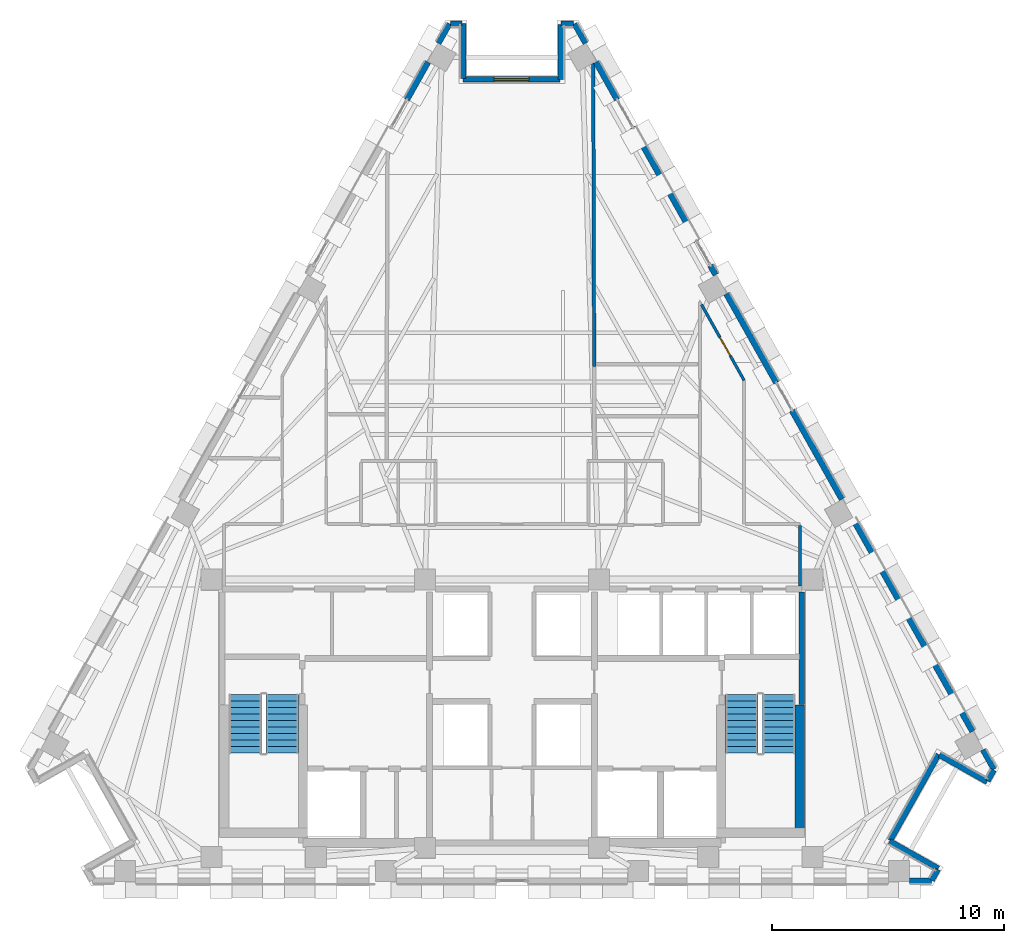
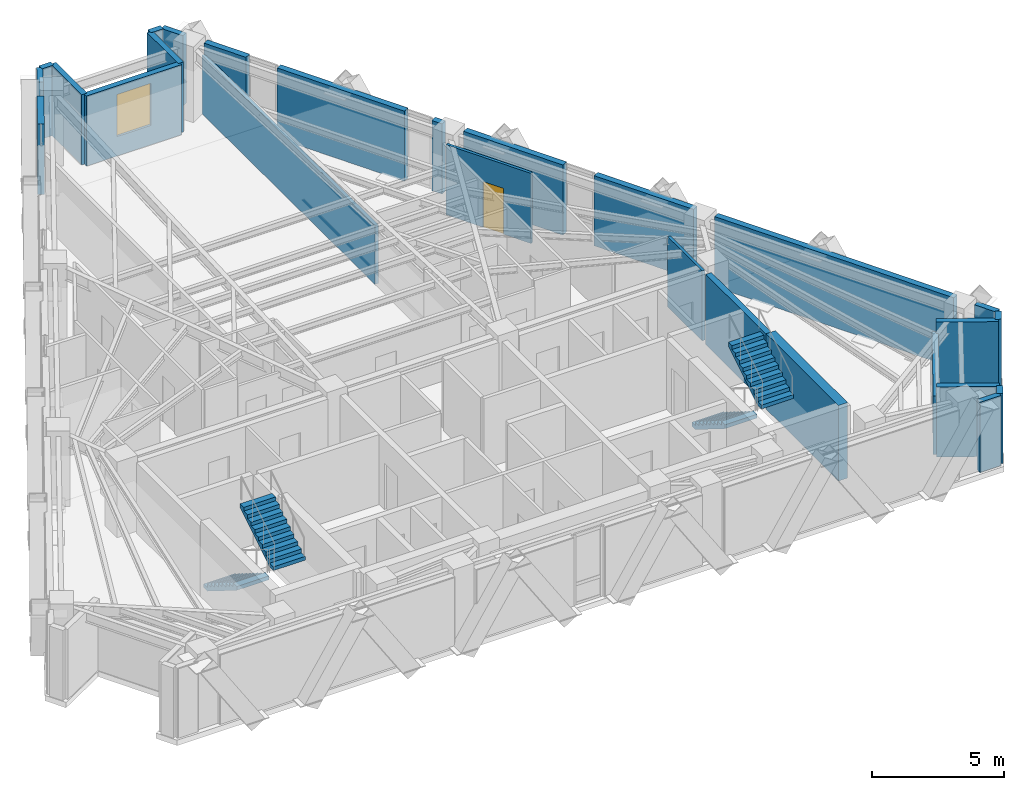
# One storey, part 9 of 12: 26 walls, 4 stair flights, 1 door, 1 window, 2 openings, 2 elements without a shape of their own.
"""IFC4 building model written with IfcOpenShell, lengths in metres."""

from ifc_helpers import new_model, si_unit, direction, frame, frame_2d, origin, place, context, subcontext, project, spatial, polyline, rectangle, outline, extrude, material, layer, layer_set, type_object, element, fill, aggregate, save


model = new_model("IFC4")

# Units and contexts
model_context = context("Model", 3, precision=1e-05, world=origin(), true_north=direction((0.0, 1.0)))
body_context = subcontext(model_context, "Body", "Model", "MODEL_VIEW")
ifc_project = project(units=[si_unit("LENGTHUNIT", "METRE"), si_unit("AREAUNIT", "SQUARE_METRE"), si_unit("VOLUMEUNIT", "CUBIC_METRE"), si_unit("PLANEANGLEUNIT", "RADIAN"), si_unit("MASSUNIT", "GRAM", prefix="KILO")], contexts=[model_context])

# Site, building, storey
site_placement = place(None, origin())
site = spatial("IfcSite", under=ifc_project, at=site_placement, CompositionType="ELEMENT")
building_placement = place(site_placement, origin())
building = spatial("IfcBuilding", under=site, at=building_placement, Name="Quenlor Broadcast Tower", CompositionType="ELEMENT")
storey_placement = place(building_placement, frame((0.0, 0.0, 186.89990234375)))
storey = spatial("IfcBuildingStorey", under=building, at=storey_placement, Name="L51", CompositionType="ELEMENT", Elevation=186.89990234375)

# Walls
ifc_material_1 = material(Name="Acoustic Double Stud Gypsum Partition", Category="other")
ifc_layer_1 = layer(ifc_material_1, 0.14990234375)
ifc_layer_set_1 = layer_set([ifc_layer_1], Name="Broadcast Studio Acoustic Partition 150")
wall_type_1 = type_object("IfcWallType", Name="Broadcast Studio Acoustic Partition 150", PredefinedType="PARTITIONING", material=ifc_layer_set_1)
wall_1_placement = place(storey_placement, frame((3.540283203125, 4.373291015625, 0.0), z_axis=(0.0, 0.0, 1.0), x_axis=(-0.003041825214, 0.999995373639, 0.0)))
element("IfcWall", 1, at=wall_1_placement, inside=storey, type_object=wall_type_1, Name="L51 Interior Wall PW-DV-01", PredefinedType="PARTITIONING", context=body_context, shape_type="SweptSolid", body=[
    extrude(rectangle(XDim=13.08251953125, YDim=0.14990234375, at=frame_2d((6.541259765625, 0.0))), origin(), (0.0, 0.0, 1.0), 2.721923828125),
])
ifc_material_2 = material(Name="Concrete C50/60", Category="concrete")
ifc_layer_2 = layer(ifc_material_2, 0.39990234375)
ifc_layer_set_2 = layer_set([ifc_layer_2], Name="Core Concrete C50/60 Shear Wall 400")
wall_type_2 = type_object("IfcWallType", Name="Core Concrete C50/60 Shear Wall 400", PredefinedType="SHEAR", material=ifc_layer_set_2)
wall_2_placement = place(storey_placement, frame((12.39990234375, -15.699951171875, 0.0), z_axis=(0.0, 0.0, 1.0), x_axis=(0.0, 1.0, 0.0)))
element("IfcWall", 2, at=wall_2_placement, inside=storey, type_object=wall_type_2, Name="L51 Core Shear Wall WF-E", PredefinedType="SHEAR", context=body_context, shape_type="SweptSolid", body=[
    extrude(rectangle(XDim=5.5, YDim=0.39990234375, at=frame_2d((2.75, 0.0))), origin(), (0.0, 0.0, 1.0), 3.5),
])
ifc_material_3 = material(Name="Concrete C40/50", Category="concrete")
ifc_layer_3 = layer(ifc_material_3, 0.25)
ifc_layer_set_3 = layer_set([ifc_layer_3], Name="Fire Rated Concrete C40/50 Core Wall 250")
wall_type_3 = type_object("IfcWallType", Name="Fire Rated Concrete C40/50 Core Wall 250", PredefinedType="PARTITIONING", material=ifc_layer_set_3)
wall_3_placement = place(storey_placement, frame((12.47998046875, -10.179931640625, 0.0), z_axis=(0.0, 0.0, 1.0), x_axis=(0.0, 1.0, 0.0)))
element("IfcWall", 3, at=wall_3_placement, inside=storey, type_object=wall_type_3, Name="L51 Interior Wall CW-ST2-E2", PredefinedType="PARTITIONING", context=body_context, shape_type="SweptSolid", body=[
    extrude(rectangle(XDim=4.83984375, YDim=0.25, at=frame_2d((2.419921875, 0.0))), origin(), (0.0, 0.0, 1.0), 3.25),
])

# Wall, opening, door
ifc_material_4 = material(Name="Gypsum Plasterboard Partition", Category="other")
ifc_layer_4 = layer(ifc_material_4, 0.1201171875)
ifc_layer_set_4 = layer_set([ifc_layer_4], Name="Standard Office Partition 120")
wall_type_4 = type_object("IfcWallType", Name="Standard Office Partition 120", PredefinedType="PARTITIONING", material=ifc_layer_set_4)
wall_4_placement = place(storey_placement, frame((8.162109375, 7.0546875, 0.0), z_axis=(0.0, 0.0, 1.0), x_axis=(0.490236504766, -0.871589450025, 0.0)))
wall_4 = element("IfcWall", 4, at=wall_4_placement, inside=storey, type_object=wall_type_4, Name="L51 Interior Wall PW-CR-08", PredefinedType="PARTITIONING", context=body_context, shape_type="SweptSolid", body=[
    extrude(rectangle(XDim=3.7490234375, YDim=0.1201171875, at=frame_2d((1.87451171875, 0.0))), origin(), (0.0, 0.0, 1.0), 3.25),
])
opening_1_placement = place(wall_4_placement, frame((1.6240234375, 0.0, 0.0)))
opening_1 = element("IfcOpeningElement", 5, at=opening_1_placement, cuts=wall_4, Name="Opening ID-1", PredefinedType="OPENING", context=body_context, shape_type="SweptSolid", body=[
    extrude(rectangle(XDim=0.919921875, YDim=2.1201171875, at=frame_2d((0.4599609375, 1.06005859375))), frame((0.0, 0.070068359375, 0.0), z_axis=(0.0, -1.0, 0.0), x_axis=(1.0, 0.0, 0.0)), (0.0, 0.0, 1.0), 0.14013671875),
])
ifc_material_5 = material(Name="Solid Core Timber Oak", Category="wood")
door_type = type_object("IfcDoorType", Name="Single Leaf Timber Office Door 920x2120", OperationType="NOTDEFINED", PredefinedType="DOOR", material=ifc_material_5)
door_placement = place(opening_1_placement, origin())
door = element("IfcDoor", 6, at=door_placement, inside=storey, type_object=door_type, Name="L51 Door DR-RM01", OperationType="SINGLE_SWING_LEFT", OverallHeight=2.1201171875, OverallWidth=0.919921875, PredefinedType="DOOR", context=body_context, shape_type="SweptSolid", body=[
    extrude(rectangle(XDim=0.919921875, YDim=2.1201171875, at=frame_2d((0.4599609375, 1.06005859375))), frame((0.0, 0.02490234375, 0.0), z_axis=(0.0, -1.0, 0.0), x_axis=(1.0, 0.0, 0.0)), (0.0, 0.0, 1.0), 0.050048828125),
])
fill(opening_1, door)

# Walls
wall_5_placement = place(storey_placement, frame((12.409912109375, -2.4619140625, 0.0), z_axis=(0.0, 0.0, 1.0), x_axis=(0.0, -1.0, 0.0)))
element("IfcWall", 7, at=wall_5_placement, inside=storey, type_object=wall_type_4, Name="L51 Interior Wall PW-CR-11", PredefinedType="PARTITIONING", context=body_context, shape_type="SweptSolid", body=[
    extrude(rectangle(XDim=2.611083984375, YDim=0.1201171875, at=frame_2d((1.3056640625, 0.0))), origin(), (0.0, 0.0, 1.0), 3.25),
])
ifc_material_6 = material(Name="Precast concrete C40/50", Category="concrete")
ifc_layer_5 = layer(ifc_material_6, 0.239990234375)
ifc_layer_set_5 = layer_set([ifc_layer_5], Name="Terrace Threshold Precast Concrete C40/50 Wall 240")
wall_type_5 = type_object("IfcWallType", Name="Terrace Threshold Precast Concrete C40/50 Wall 240", PredefinedType="STANDARD", material=ifc_layer_set_5)
wall_6_placement = place(storey_placement, frame((18.06591796875, -17.77490234375, 0.0), z_axis=(0.0, 0.0, 1.0), x_axis=(-1.0, 0.0, 0.0)))
element("IfcWall", 8, at=wall_6_placement, inside=storey, type_object=wall_type_5, Name="L51 Exterior Wall L51-SHD-SS0", PredefinedType="STANDARD", context=body_context, shape_type="SweptSolid", body=[
    extrude(rectangle(XDim=0.93505859375, YDim=0.239990234375, at=frame_2d((0.467529296875, 0.0))), origin(), (0.0, 0.0, 1.0), 3.25),
])
for number, where, z_axis, x_axis, name in (
    (9, (2.6953125, 19.1494140625, 0.0), (0.0, 0.0, 1.0), (0.490345412687, -0.87152818443, 0.0), "L51 Exterior Wall L51-SHD-NES0"),
    (10, (20.289794921875, -12.1298828125, 0.0), (0.0, 0.0, 1.0), (0.490345412687, -0.87152818443, 0.0), "L51 Exterior Wall L51-SHD-NES1"),
    (11, (-3.16796875, 18.309326171875, 0.0), (0.0, 0.0, 1.0), (0.490345412687, 0.87152818443, 0.0), "L51 Exterior Wall L51-SHD-NWS1"),
):
    element("IfcWall", number, at=place(storey_placement, frame(where, z_axis=z_axis, x_axis=x_axis)), inside=storey, type_object=wall_type_5, Name=name, PredefinedType="STANDARD", context=body_context, shape_type="SweptSolid", body=[
        extrude(rectangle(XDim=0.9638671875, YDim=0.239990234375, at=frame_2d((0.48193359375, 0.0))), origin(), (0.0, 0.0, 1.0), 3.25),
    ])
wall_7_placement = place(storey_placement, frame((18.365966796875, -17.246826171875, 0.0), z_axis=(0.0, 0.0, 1.0), x_axis=(-0.871597270235, 0.490222600988, 0.0)))
element("IfcWall", 12, at=wall_7_placement, inside=storey, type_object=wall_type_5, Name="L51 Exterior Wall L51-CNR-01", PredefinedType="STANDARD", context=body_context, shape_type="SweptSolid", body=[
    extrude(rectangle(XDim=2.39990234375, YDim=0.239990234375, at=frame_2d((1.199951171875, 0.0))), origin(), (0.0, 0.0, 1.0), 3.25),
])
wall_8_placement = place(storey_placement, frame((16.293701171875, -16.035400390625, 0.0), z_axis=(0.0, 0.0, 1.0), x_axis=(0.49027487746, 0.871567865706, 0.0)))
element("IfcWall", 13, at=wall_8_placement, inside=storey, type_object=wall_type_5, Name="L51 Exterior Wall L51-CNR-02", PredefinedType="STANDARD", context=body_context, shape_type="SweptSolid", body=[
    extrude(rectangle(XDim=4.249755859375, YDim=0.239990234375, at=frame_2d((2.125, 0.0))), origin(), (0.0, 0.0, 1.0), 2.721923828125),
])
wall_9_placement = place(storey_placement, frame((18.412109375, -12.351318359375, 0.0), z_axis=(0.0, 0.0, 1.0), x_axis=(0.871578299909, -0.490256327984, 0.0)))
element("IfcWall", 14, at=wall_9_placement, inside=storey, type_object=wall_type_5, Name="L51 Exterior Wall L51-CNR-03", PredefinedType="STANDARD", context=body_context, shape_type="SweptSolid", body=[
    extrude(rectangle(XDim=2.35986328125, YDim=0.239990234375, at=frame_2d((1.179931640625, 0.0))), origin(), (0.0, 0.0, 1.0), 3.25),
])
wall_10_placement = place(storey_placement, frame((20.48876953125, -13.473388671875, 0.0), z_axis=(0.0, 0.0, 1.0), x_axis=(0.490133374867, 0.87164744871, 0.0)))
element("IfcWall", 15, at=wall_10_placement, inside=storey, type_object=wall_type_5, Name="L51 Exterior Wall L51-CNR-04", PredefinedType="STANDARD", context=body_context, shape_type="SweptSolid", body=[
    extrude(rectangle(XDim=0.5439453125, YDim=0.239990234375, at=frame_2d((0.27197265625, 0.0))), origin(), (0.0, 0.0, 1.0), 3.25),
])
wall_11_placement = place(storey_placement, frame((2.658447265625, 19.152099609375, 0.0), z_axis=(0.0, 0.0, 1.0), x_axis=(-1.0, 0.0, 0.0)))
element("IfcWall", 16, at=wall_11_placement, inside=storey, type_object=wall_type_5, Name="L51 Exterior Wall L51-CNR-06", PredefinedType="STANDARD", context=body_context, shape_type="SweptSolid", body=[
    extrude(rectangle(XDim=0.55224609375, YDim=0.239990234375, at=frame_2d((0.276123046875, 0.0))), origin(), (0.0, 0.0, 1.0), 3.25),
])
wall_12_placement = place(storey_placement, frame((2.106201171875, 19.112060546875, 0.0), z_axis=(0.0, 0.0, 1.0), x_axis=(0.0, -1.0, 0.0)))
element("IfcWall", 17, at=wall_12_placement, inside=storey, type_object=wall_type_5, Name="L51 Exterior Wall L51-CNR-07", PredefinedType="STANDARD", context=body_context, shape_type="SweptSolid", body=[
    extrude(rectangle(XDim=2.360107421875, YDim=0.239990234375, at=frame_2d((1.18017578125, 0.0))), origin(), (0.0, 0.0, 1.0), 3.25),
])

# Wall, opening, window
wall_13_placement = place(storey_placement, frame((2.066162109375, 16.751953125, 0.0), z_axis=(0.0, 0.0, 1.0), x_axis=(-1.0, 0.0, 0.0)))
wall_13 = element("IfcWall", 18, at=wall_13_placement, inside=storey, type_object=wall_type_5, Name="L51 Exterior Wall L51-CNR-08", PredefinedType="STANDARD", context=body_context, shape_type="SweptSolid", body=[
    extrude(rectangle(XDim=4.17236328125, YDim=0.239990234375, at=frame_2d((2.086181640625, 0.0))), origin(), (0.0, 0.0, 1.0), 3.25),
])
opening_2_placement = place(wall_13_placement, frame((1.3359375, 0.0, 0.89990234375)))
opening_2 = element("IfcOpeningElement", 19, at=opening_2_placement, cuts=wall_13, Name="Opening WN-3", PredefinedType="OPENING", context=body_context, shape_type="SweptSolid", body=[
    extrude(rectangle(XDim=1.5, YDim=1.949951171875, at=frame_2d((0.75, 0.97509765625))), frame((0.0, 0.1298828125, 0.0), z_axis=(0.0, -1.0, 0.0), x_axis=(1.0, 0.0, 0.0)), (0.0, 0.0, 1.0), 0.260009765625),
])
ifc_material_7 = material(Name="Thermally Broken Aluminium and Low-E Glass", Category="aluminium")
window_type = type_object("IfcWindowType", Name="Upper Tower Facade Window 1500x1950", PartitioningType="SINGLE_PANEL", PredefinedType="WINDOW", material=ifc_material_7)
window_placement = place(opening_2_placement, origin())
window = element("IfcWindow", 20, at=window_placement, inside=storey, type_object=window_type, Name="L51 Corner Chamfer Window 8", OverallHeight=1.949951171875, OverallWidth=1.5, PartitioningType="SINGLE_PANEL", PredefinedType="WINDOW", context=body_context, shape_type="SweptSolid", body=[
    extrude(rectangle(XDim=1.5, YDim=1.949951171875, at=frame_2d((0.75, 0.97509765625))), frame((0.0, 0.030029296875, 0.0), z_axis=(0.0, -1.0, 0.0), x_axis=(1.0, 0.0, 0.0)), (0.0, 0.0, 1.0), 0.06005859375),
])
fill(opening_2, window)

# Walls
wall_14_placement = place(storey_placement, frame((-2.106201171875, 16.7919921875, 0.0), z_axis=(0.0, 0.0, 1.0), x_axis=(0.0, 1.0, 0.0)))
element("IfcWall", 21, at=wall_14_placement, inside=storey, type_object=wall_type_5, Name="L51 Exterior Wall L51-CNR-09", PredefinedType="STANDARD", context=body_context, shape_type="SweptSolid", body=[
    extrude(rectangle(XDim=2.360107421875, YDim=0.239990234375, at=frame_2d((1.18017578125, 0.0))), origin(), (0.0, 0.0, 1.0), 3.25),
])
wall_15_placement = place(storey_placement, frame((-2.146240234375, 19.152099609375, 0.0), z_axis=(0.0, 0.0, 1.0), x_axis=(-1.0, 0.0, 0.0)))
element("IfcWall", 22, at=wall_15_placement, inside=storey, type_object=wall_type_5, Name="L51 Exterior Wall L51-CNR-10", PredefinedType="STANDARD", context=body_context, shape_type="SweptSolid", body=[
    extrude(rectangle(XDim=0.51220703125, YDim=0.239990234375, at=frame_2d((0.256103515625, 0.0))), origin(), (0.0, 0.0, 1.0), 3.25),
])
wall_16_placement = place(storey_placement, frame((18.081298828125, -17.752685546875, 0.0), z_axis=(0.0, 0.0, 1.0), x_axis=(0.490582915772, 0.871394516136, 0.0)))
element("IfcWall", 23, at=wall_16_placement, inside=storey, type_object=wall_type_5, Name="L51 Exterior Wall L51-CNR-18", PredefinedType="STANDARD", context=body_context, shape_type="SweptSolid", body=[
    extrude(rectangle(XDim=0.54052734375, YDim=0.239990234375, at=frame_2d((0.270263671875, 0.0))), origin(), (0.0, 0.0, 1.0), 3.25),
])
ifc_material_8 = material(Name="Precast concrete C40/50", Category="concrete")
ifc_layer_6 = layer(ifc_material_8, 0.260009765625)
ifc_layer_set_6 = layer_set([ifc_layer_6], Name="Terracotta Precast Concrete C40/50 Upper Wall 260")
wall_type_6 = type_object("IfcWallType", Name="Terracotta Precast Concrete C40/50 Upper Wall 260", PredefinedType="STANDARD", material=ifc_layer_set_6)
wall_17_placement = place(storey_placement, frame((3.623779296875, 17.498779296875, 0.0), z_axis=(0.0, 0.0, 1.0), x_axis=(0.490261239633, -0.871575537125, 0.0)))
element("IfcWall", 24, at=wall_17_placement, inside=storey, type_object=wall_type_6, Name="L51 Exterior Wall L51-NEA-SP1", PredefinedType="STANDARD", context=body_context, shape_type="SweptSolid", body=[
    extrude(rectangle(XDim=1.85546875, YDim=0.260009765625, at=frame_2d((0.927734375, 0.0))), origin(), (0.0, 0.0, 1.0), 3.25),
])
wall_18_placement = place(storey_placement, frame((5.2080078125, 14.682373046875, 0.0), z_axis=(0.0, 0.0, 1.0), x_axis=(0.490240608828, -0.871587141631, 0.0)))
element("IfcWall", 25, at=wall_18_placement, inside=storey, type_object=wall_type_6, Name="L51 Exterior Wall L51-NEA-SP2", PredefinedType="STANDARD", context=body_context, shape_type="SweptSolid", body=[
    extrude(rectangle(XDim=5.618408203125, YDim=0.260009765625, at=frame_2d((2.80908203125, 0.0))), origin(), (0.0, 0.0, 1.0), 3.25),
])
wall_19_placement = place(storey_placement, frame((8.551513671875, 8.73828125, 0.0), z_axis=(0.0, 0.0, 1.0), x_axis=(0.490412424957, -0.871490478116, 0.0)))
element("IfcWall", 26, at=wall_19_placement, inside=storey, type_object=wall_type_6, Name="L51 Exterior Wall L51-NEA-SP3", PredefinedType="STANDARD", context=body_context, shape_type="SweptSolid", body=[
    extrude(rectangle(XDim=0.4599609375, YDim=0.260009765625, at=frame_2d((0.22998046875, 0.0))), origin(), (0.0, 0.0, 1.0), 3.25),
])
wall_20_placement = place(storey_placement, frame((14.6708984375, -2.140380859375, 0.0), z_axis=(0.0, 0.0, 1.0), x_axis=(0.490246958575, -0.871583570066, 0.0)))
element("IfcWall", 27, at=wall_20_placement, inside=storey, type_object=wall_type_6, Name="L51 Exterior Wall L51-EW-NEC", PredefinedType="STANDARD", context=body_context, shape_type="SweptSolid", body=[
    extrude(rectangle(XDim=10.551513671875, YDim=0.260009765625, at=frame_2d((5.27587890625, 0.0))), origin(), (0.0, 0.0, 1.0), 3.25),
])
wall_21_placement = place(storey_placement, frame((9.240478515625, 7.513671875, 0.0), z_axis=(0.0, 0.0, 1.0), x_axis=(0.490237464814, -0.871588910033, 0.0)))
element("IfcWall", 28, at=wall_21_placement, inside=storey, type_object=wall_type_6, Name="L51 Exterior Wall L51-NE-SP1", PredefinedType="STANDARD", context=body_context, shape_type="SweptSolid", body=[
    extrude(rectangle(XDim=4.387939453125, YDim=0.260009765625, at=frame_2d((2.19384765625, 0.0))), origin(), (0.0, 0.0, 1.0), 3.25),
])
wall_22_placement = place(storey_placement, frame((12.066162109375, 2.489990234375, 0.0), z_axis=(0.0, 0.0, 1.0), x_axis=(0.490261239633, -0.871575537125, 0.0)))
element("IfcWall", 29, at=wall_22_placement, inside=storey, type_object=wall_type_6, Name="L51 Exterior Wall L51-NE-SP2", PredefinedType="STANDARD", context=body_context, shape_type="SweptSolid", body=[
    extrude(rectangle(XDim=4.3876953125, YDim=0.260009765625, at=frame_2d((2.19384765625, 0.0))), origin(), (0.0, 0.0, 1.0), 3.25),
])
wall_23_placement = place(storey_placement, frame((-4.533447265625, 15.881591796875, 0.0), z_axis=(0.0, 0.0, 1.0), x_axis=(0.490261239633, 0.871575537125, 0.0)))
element("IfcWall", 30, at=wall_23_placement, inside=storey, type_object=wall_type_6, Name="L51 Exterior Wall L51-NWC-SP3", PredefinedType="STANDARD", context=body_context, shape_type="SweptSolid", body=[
    extrude(rectangle(XDim=1.85546875, YDim=0.260009765625, at=frame_2d((0.927734375, 0.0))), origin(), (0.0, 0.0, 1.0), 3.25),
])

# Stair, stair flights
ifc_material_9 = material(Name="Precast concrete C40/50", Category="concrete")
stair_type = type_object("IfcStairType", Name="Precast Concrete C40/50 Dogleg Stair H350", PredefinedType="HALF_TURN_STAIR", material=ifc_material_9)
stair_1_placement = place(storey_placement, origin())
stair_1 = element("IfcStair", 31, at=stair_1_placement, inside=storey, type_object=stair_type, Name="L51 West Core Fire-Isolated Exit Stair ST-1", PredefinedType="HALF_TURN_STAIR")
ifc_material_10 = material(Name="Precast concrete C40/50", Category="concrete")
ifc_layer_7 = layer(ifc_material_10, 0.159912109375)
ifc_layer_set_7 = layer_set([ifc_layer_7], Name="Precast Concrete C40/50 Stair Flight H350")
stair_flight_type = type_object("IfcStairFlightType", Name="Precast Concrete C40/50 Stair Flight H350", PredefinedType="STRAIGHT", material=ifc_layer_set_7)
stair_flight_1_placement = place(storey_placement, frame((-11.5, -9.75, 0.0), z_axis=(0.0, 0.0, 1.0), x_axis=(0.0, -1.0, 0.0)))
stair_flight_1 = element("IfcStairFlight", 32, at=stair_flight_1_placement, type_object=stair_flight_type, Name="ST-1 flight 1", NumberOfRisers=10, NumberOfTreads=9, PredefinedType="STRAIGHT", RiserHeight=0.175, TreadLength=0.28, context=body_context, shape_type="SweptSolid", body=[
    extrude(outline(polyline([(0.0, 0.0), (0.0, 0.175048828125), (0.280029296875, 0.175048828125), (0.280029296875, 0.35009765625), (0.56005859375, 0.35009765625), (0.56005859375, 0.52490234375), (0.840087890625, 0.52490234375), (0.840087890625, 0.699951171875), (1.1201171875, 0.699951171875), (1.1201171875, 0.875), (1.39990234375, 0.875), (1.39990234375, 1.050048828125), (1.679931640625, 1.050048828125), (1.679931640625, 1.22509765625), (1.9599609375, 1.22509765625), (1.9599609375, 1.39990234375), (2.239990234375, 1.39990234375), (2.239990234375, 1.574951171875), (2.52001953125, 1.574951171875), (2.52001953125, 1.75), (2.52001953125, 1.398193359375), (0.28271484375, 0.0), (0.0, 0.0)])), frame((0.0, 0.699951171875, 0.0), z_axis=(0.0, -1.0, 0.0), x_axis=(1.0, 0.0, 0.0)), (0.0, 0.0, 1.0), 1.39990234375),
])
stair_flight_2_placement = place(storey_placement, frame((-9.89990234375, -12.27001953125, 1.75), z_axis=(0.0, 0.0, 1.0), x_axis=(0.0, 1.0, 0.0)))
stair_flight_2 = element("IfcStairFlight", 33, at=stair_flight_2_placement, type_object=stair_flight_type, Name="ST-1 flight 2", NumberOfRisers=10, NumberOfTreads=9, PredefinedType="STRAIGHT", RiserHeight=0.175, TreadLength=0.28, context=body_context, shape_type="SweptSolid", body=[
    extrude(outline(polyline([(0.0, 0.0), (0.0, 0.175048828125), (0.280029296875, 0.175048828125), (0.280029296875, 0.35009765625), (0.56005859375, 0.35009765625), (0.56005859375, 0.52490234375), (0.840087890625, 0.52490234375), (0.840087890625, 0.699951171875), (1.1201171875, 0.699951171875), (1.1201171875, 0.875), (1.39990234375, 0.875), (1.39990234375, 1.050048828125), (1.679931640625, 1.050048828125), (1.679931640625, 1.22509765625), (1.9599609375, 1.22509765625), (1.9599609375, 1.39990234375), (2.239990234375, 1.39990234375), (2.239990234375, 1.574951171875), (2.52001953125, 1.574951171875), (2.52001953125, 1.75), (2.52001953125, 1.398193359375), (0.28271484375, 0.0), (0.0, 0.0)])), frame((0.0, 0.699951171875, 0.0), z_axis=(0.0, -1.0, 0.0), x_axis=(1.0, 0.0, 0.0)), (0.0, 0.0, 1.0), 1.39990234375),
])
aggregate(stair_1, [stair_flight_1, stair_flight_2])

stair_2_placement = place(storey_placement, origin())
stair_2 = element("IfcStair", 34, at=stair_2_placement, inside=storey, type_object=stair_type, Name="L51 East Core Fire-Isolated Exit Stair ST-2", PredefinedType="HALF_TURN_STAIR")
stair_flight_3_placement = place(storey_placement, frame((9.89990234375, -9.75, 0.0), z_axis=(0.0, 0.0, 1.0), x_axis=(0.0, -1.0, 0.0)))
stair_flight_3 = element("IfcStairFlight", 35, at=stair_flight_3_placement, type_object=stair_flight_type, Name="ST-2 flight 1", NumberOfRisers=10, NumberOfTreads=9, PredefinedType="STRAIGHT", RiserHeight=0.175, TreadLength=0.28, context=body_context, shape_type="SweptSolid", body=[
    extrude(outline(polyline([(0.0, 0.0), (0.0, 0.175048828125), (0.280029296875, 0.175048828125), (0.280029296875, 0.35009765625), (0.56005859375, 0.35009765625), (0.56005859375, 0.52490234375), (0.840087890625, 0.52490234375), (0.840087890625, 0.699951171875), (1.1201171875, 0.699951171875), (1.1201171875, 0.875), (1.39990234375, 0.875), (1.39990234375, 1.050048828125), (1.679931640625, 1.050048828125), (1.679931640625, 1.22509765625), (1.9599609375, 1.22509765625), (1.9599609375, 1.39990234375), (2.239990234375, 1.39990234375), (2.239990234375, 1.574951171875), (2.52001953125, 1.574951171875), (2.52001953125, 1.75), (2.52001953125, 1.398193359375), (0.28271484375, 0.0), (0.0, 0.0)])), frame((0.0, 0.699951171875, 0.0), z_axis=(0.0, -1.0, 0.0), x_axis=(1.0, 0.0, 0.0)), (0.0, 0.0, 1.0), 1.39990234375),
])
stair_flight_4_placement = place(storey_placement, frame((11.5, -12.27001953125, 1.75), z_axis=(0.0, 0.0, 1.0), x_axis=(0.0, 1.0, 0.0)))
stair_flight_4 = element("IfcStairFlight", 36, at=stair_flight_4_placement, type_object=stair_flight_type, Name="ST-2 flight 2", NumberOfRisers=10, NumberOfTreads=9, PredefinedType="STRAIGHT", RiserHeight=0.175, TreadLength=0.28, context=body_context, shape_type="SweptSolid", body=[
    extrude(outline(polyline([(0.0, 0.0), (0.0, 0.175048828125), (0.280029296875, 0.175048828125), (0.280029296875, 0.35009765625), (0.56005859375, 0.35009765625), (0.56005859375, 0.52490234375), (0.840087890625, 0.52490234375), (0.840087890625, 0.699951171875), (1.1201171875, 0.699951171875), (1.1201171875, 0.875), (1.39990234375, 0.875), (1.39990234375, 1.050048828125), (1.679931640625, 1.050048828125), (1.679931640625, 1.22509765625), (1.9599609375, 1.22509765625), (1.9599609375, 1.39990234375), (2.239990234375, 1.39990234375), (2.239990234375, 1.574951171875), (2.52001953125, 1.574951171875), (2.52001953125, 1.75), (2.52001953125, 1.398193359375), (0.28271484375, 0.0), (0.0, 0.0)])), frame((0.0, 0.699951171875, 0.0), z_axis=(0.0, -1.0, 0.0), x_axis=(1.0, 0.0, 0.0)), (0.0, 0.0, 1.0), 1.39990234375),
])
aggregate(stair_2, [stair_flight_3, stair_flight_4])

save(model, "model.ifc")
